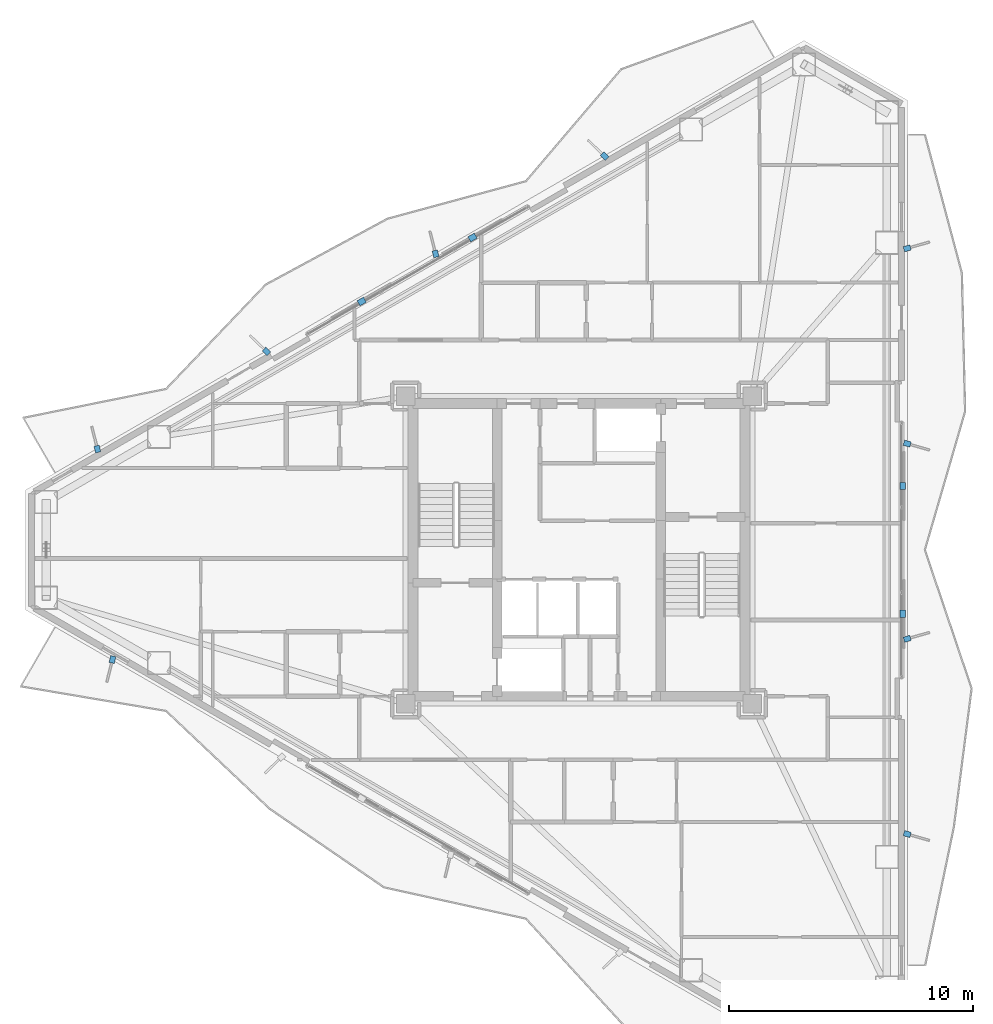
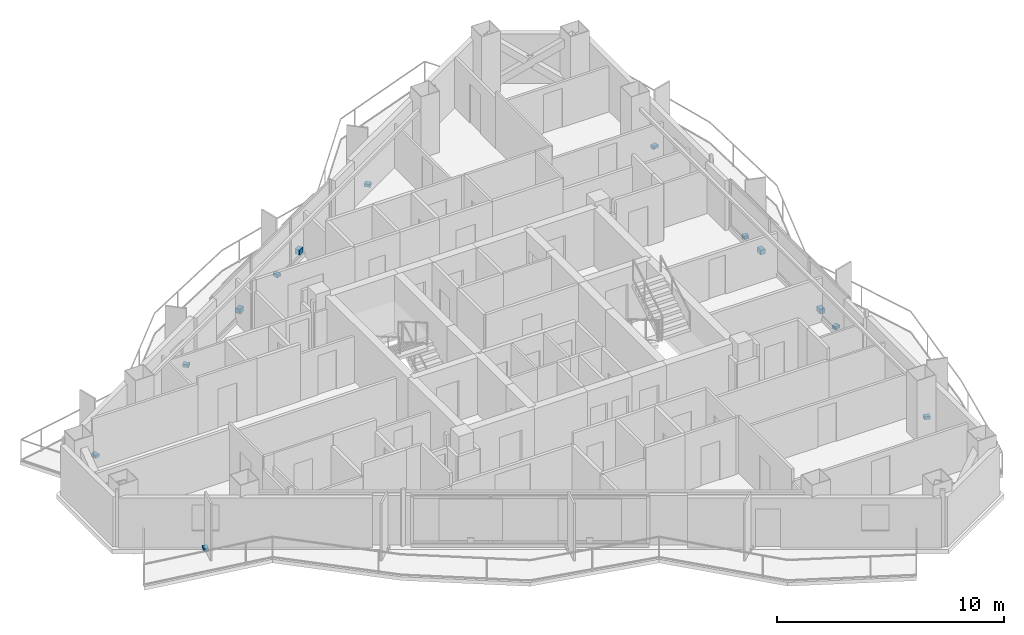
# One storey, part 17 of 19: 13 discrete accessories.
"""IFC4 building model written with IfcOpenShell, lengths in metres."""

import ifcopenshell
import ifcopenshell.guid

model = None  # the IFC model being written
_history = None  # IfcOwnerHistory: only IFC2X3 demands one
_inside = {}  # id of a spatial element -> (the spatial element, [elements in it])
_under = {}  # id of a project, library or spatial element -> (it, [spatial elements below it])
_declared = {}  # id of a project -> (the project, [libraries it declares])
_typed = {}  # id of a type object -> (the type object, [elements of that type])
_made_of = {}  # id of a material, layer set ... -> (it, [elements and type objects made of it])


def new_model(schema):
    """Start an empty IFC model of exactly this schema.

    Asked for "IFC4X3", IfcOpenShell would pick the latest addendum, in which some entities
    have other attributes; the version numbers below select the first issue.
    IFC2X3 requires an IfcOwnerHistory on every rooted entity: one is made here for all.
    """
    global model, _history
    if schema == "IFC4X3":
        model = ifcopenshell.file(schema_version=(4, 3, 0, 0))
    else:
        model = ifcopenshell.file(schema=schema)
    _inside.clear()
    _under.clear()
    _declared.clear()
    _typed.clear()
    _made_of.clear()
    _history = None
    if model.schema == "IFC2X3":
        org = make("IfcOrganization", Name="unknown")
        user = make(
            "IfcPersonAndOrganization",
            ThePerson=make("IfcPerson", FamilyName="unknown"),
            TheOrganization=org,
        )
        app = make(
            "IfcApplication",
            ApplicationDeveloper=org,
            Version="unknown",
            ApplicationFullName="unknown",
            ApplicationIdentifier="unknown",
        )
        _history = make(
            "IfcOwnerHistory",
            OwningUser=user,
            OwningApplication=app,
            ChangeAction="ADDED",
            CreationDate=0,
        )
    return model


def make(cls, **values):
    """One entity of the class cls with the attributes given. An attribute that is None is left unset."""
    return model.create_entity(
        cls, **{name: value for name, value in values.items() if value is not None}
    )


def rooted(cls, **values):
    """An entity with a GlobalId (a new one), such as an element, a storey or a relation."""
    return make(cls, GlobalId=ifcopenshell.guid.new(), OwnerHistory=_history, **values)


def si_unit(unit_type, name, prefix=None):
    """IfcSIUnit, for example si_unit("LENGTHUNIT", "METRE", prefix="MILLI")."""
    return make("IfcSIUnit", UnitType=unit_type, Prefix=prefix, Name=name)


def assignment(units):
    """IfcUnitAssignment: the units of a project."""
    return None if units is None else make("IfcUnitAssignment", Units=units)


def point(xyz):
    """IfcCartesianPoint."""
    return None if xyz is None else make("IfcCartesianPoint", Coordinates=xyz)


def direction(xyz):
    """IfcDirection."""
    return None if xyz is None else make("IfcDirection", DirectionRatios=xyz)


def frame(location, z_axis=None, x_axis=None):
    """IfcAxis2Placement3D, a coordinate frame: its origin and axes. An axis left out is left unset."""
    return make(
        "IfcAxis2Placement3D",
        Location=point(location),
        Axis=direction(z_axis),
        RefDirection=direction(x_axis),
    )


def frame_2d(location, x_axis=None):
    """IfcAxis2Placement2D, a coordinate frame in the plane: its origin and x axis."""
    return make(
        "IfcAxis2Placement2D", Location=point(location), RefDirection=direction(x_axis)
    )


def origin():
    """The frame at (0, 0, 0) with its axes left unset."""
    return frame((0.0, 0.0, 0.0))


def origin_2d():
    """The frame at (0, 0) in the plane with its x axis left unset."""
    return frame_2d((0.0, 0.0))


def place(relative_to, where):
    """IfcLocalPlacement: puts the frame where relative to a parent placement (None: the world)."""
    return make(
        "IfcLocalPlacement", PlacementRelTo=relative_to, RelativePlacement=where
    )


def context(
    kind, dimensions, precision=None, world=None, true_north=None, identifier=None
):
    """IfcGeometricRepresentationContext, for example the 3D "Model" context."""
    return make(
        "IfcGeometricRepresentationContext",
        ContextIdentifier=identifier,
        ContextType=kind,
        CoordinateSpaceDimension=dimensions,
        Precision=precision,
        WorldCoordinateSystem=world,
        TrueNorth=true_north,
    )


def subcontext(parent, identifier, kind, view, scale=None):
    """IfcGeometricRepresentationSubContext, for example "Body" below "Model"."""
    return make(
        "IfcGeometricRepresentationSubContext",
        ContextIdentifier=identifier,
        ContextType=kind,
        ParentContext=parent,
        TargetScale=scale,
        TargetView=view,
    )


def project(units=None, contexts=None):
    """IfcProject with its units and contexts."""
    return rooted(
        "IfcProject",
        Name="project",
        RepresentationContexts=contexts,
        UnitsInContext=assignment(units),
    )


def spatial(cls, under=None, at=None, **own):
    """A site, building, storey or space (cls), placed at a placement, below another one or the project."""
    s = rooted(cls, ObjectPlacement=at, **own)
    if under is not None:
        _under.setdefault(under.id(), (under, []))[1].append(s)
    return s


def profile(cls, at=None, kind="AREA", **sizes):
    """A parametric profile (cls). Its sizes go by their IFC names, for example OverallWidth=200.0."""
    return make(cls, ProfileType=kind, Position=at, **sizes)


def rectangle(**sizes):
    """IfcRectangleProfileDef."""
    return profile("IfcRectangleProfileDef", **sizes)


def extrude(swept, where, along, depth):
    """IfcExtrudedAreaSolid: the profile swept, set in the frame where, extruded along a direction by depth."""
    return make(
        "IfcExtrudedAreaSolid",
        SweptArea=swept,
        Position=where,
        ExtrudedDirection=direction(along),
        Depth=depth,
    )


def shape(context_of_items, identifier, shape_type, items):
    """IfcShapeRepresentation: the items that make up one representation, for example the "Body"."""
    return make(
        "IfcShapeRepresentation",
        ContextOfItems=context_of_items,
        RepresentationIdentifier=identifier,
        RepresentationType=shape_type,
        Items=items,
    )


def material(Name=None, Category=None):
    """IfcMaterial."""
    return make("IfcMaterial", Name=Name, Category=Category)


def layer(
    of_material, thickness, ventilated=None, Name=None, Category=None, Priority=None
):
    """IfcMaterialLayer: one layer of a wall or slab, of a material (None: an air gap)."""
    return make(
        "IfcMaterialLayer",
        Material=of_material,
        LayerThickness=thickness,
        IsVentilated=ventilated,
        Name=Name,
        Category=Category,
        Priority=Priority,
    )


def layer_set(layers, Name=None):
    """IfcMaterialLayerSet."""
    return make("IfcMaterialLayerSet", MaterialLayers=layers, LayerSetName=Name)


def made_of(thing, what):
    """Note that an element or type object is made of a material, layer set ...; save() writes the relation."""
    if what is not None:
        _made_of.setdefault(what.id(), (what, []))[1].append(thing)
    return thing


def type_object(cls, material=None, **own):
    """A type object (cls), such as IfcWallType, which elements share."""
    return made_of(rooted(cls, **own), material)


def element(
    cls,
    number,
    at=None,
    inside=None,
    cuts=None,
    type_object=None,
    material=None,
    context=None,
    identifier="Body",
    shape_type=None,
    held_by="IfcProductDefinitionShape",
    body=None,
    shapes=None,
    **own,
):
    """One element of the class cls, such as IfcWall. Its Tag is "e" and its number.

    at: its placement. inside: the storey or other place that contains it. cuts: it is an
    opening in that element (IfcRelVoidsElement). A single representation is given by context,
    identifier, shape_type and body (its items); several are given by shapes. held_by: the class
    of the entity that holds the representations. save() writes the other relations.
    """
    e = rooted(cls, Tag="e%d" % number, ObjectPlacement=at, **own)
    if body is not None:
        shapes = [shape(context, identifier, shape_type, body)]
    if shapes is not None:
        e.Representation = make(held_by, Representations=shapes)
    if inside is not None:
        _inside.setdefault(inside.id(), (inside, []))[1].append(e)
    if cuts is not None:
        rooted(
            "IfcRelVoidsElement", RelatingBuildingElement=cuts, RelatedOpeningElement=e
        )
    if type_object is not None:
        _typed.setdefault(type_object.id(), (type_object, []))[1].append(e)
    return made_of(e, material)


def aggregate(whole, parts):
    """IfcRelAggregates: a whole, such as a stair, and the parts it consists of."""
    return rooted("IfcRelAggregates", RelatingObject=whole, RelatedObjects=parts)


def save(model, path):
    """Write the relations noted so far, then the file.

    IfcRelAggregates (storeys below a building ...), IfcRelContainedInSpatialStructure (elements
    in a storey), IfcRelDefinesByType, IfcRelAssociatesMaterial and IfcRelDeclares: one each for
    every whole, place, type object, material and project.
    """
    for whole, parts in _under.values():
        aggregate(whole, parts)
    for where, things in _inside.values():
        rooted(
            "IfcRelContainedInSpatialStructure",
            RelatedElements=things,
            RelatingStructure=where,
        )
    for kind, things in _typed.values():
        rooted("IfcRelDefinesByType", RelatedObjects=things, RelatingType=kind)
    for what, things in _made_of.values():
        rooted("IfcRelAssociatesMaterial", RelatedObjects=things, RelatingMaterial=what)
    for by, libraries in _declared.values():
        rooted("IfcRelDeclares", RelatingContext=by, RelatedDefinitions=libraries)
    model.write(path)


model = new_model("IFC4")

# Units and contexts
model_context = context("Model", 3, precision=1e-05, world=origin(), true_north=direction((0.0, 1.0)))
body_context = subcontext(model_context, "Body", "Model", "MODEL_VIEW")
ifc_project = project(units=[si_unit("LENGTHUNIT", "METRE"), si_unit("AREAUNIT", "SQUARE_METRE"), si_unit("VOLUMEUNIT", "CUBIC_METRE"), si_unit("PLANEANGLEUNIT", "RADIAN"), si_unit("MASSUNIT", "GRAM", prefix="KILO")], contexts=[model_context])

# Site, building, storey
site_placement = place(None, origin())
site = spatial("IfcSite", under=ifc_project, at=site_placement, CompositionType="ELEMENT")
building_placement = place(site_placement, origin())
building = spatial("IfcBuilding", under=site, at=building_placement, Name="Mersakhor Tower and Convention Hall", CompositionType="ELEMENT")
storey_placement = place(building_placement, frame((0.0, 0.0, 127.800048828125)))
storey = spatial("IfcBuildingStorey", under=building, at=storey_placement, Name="L35", CompositionType="ELEMENT", Elevation=127.800048828125)

# Discrete accessories
ifc_material = material(Name="Galvanised steel bracket", Category="steel")
ifc_layer = layer(ifc_material, 0.02001953125)
ifc_layer_set = layer_set([ifc_layer], Name="Galvanised steel bracket")
discrete_accessory_type = type_object("IfcDiscreteAccessoryType", Name="ACC-BRK-STL", PredefinedType="BRACKET", material=ifc_layer_set)
for number, where, z_axis, x_axis, name in (
    (1, (20.09521484375, 36.9306640625, 0.2900390625), (0.0, 0.0, 1.0), (0.866025403784, 0.5, 0.0), "L35 Solar Screen Outrigger Bracket BRK-1-1"),
    (2, (24.6357421875, 39.55224609375, 0.2900390625), (0.0, 0.0, 1.0), (0.866025403784, 0.5, 0.0), "L35 Solar Screen Outrigger Bracket BRK-1-2"),
):
    element("IfcDiscreteAccessory", number, at=place(storey_placement, frame(where, z_axis=z_axis, x_axis=x_axis)), inside=storey, type_object=discrete_accessory_type, Name=name, PredefinedType="BRACKET", context=body_context, shape_type="SweptSolid", body=[
        extrude(rectangle(XDim=0.300048828125, YDim=0.239990234375, at=origin_2d()), origin(), (0.0, 0.0, 1.0), 0.260009765625),
    ])
for number, where, z_axis, x_axis, name in (
    (3, (9.264892578125, 30.8857421875, -0.02001953125), (0.0, 0.0, 1.0), (-0.2419218956, 0.970295726276, 0.0), "L35 Facade Fin Base Cleat Bracket FBRK-1-1"),
    (4, (16.193115234375, 34.8857421875, -0.02001953125), (0.0, 0.0, 1.0), (-0.719339800339, 0.694658370459, 0.0), "L35 Facade Fin Base Cleat Bracket FBRK-1-2"),
    (5, (23.12109375, 38.8857421875, -0.02001953125), (0.0, 0.0, 1.0), (-0.2419218956, 0.970295726276, 0.0), "L35 Facade Fin Base Cleat Bracket FBRK-1-3"),
    (6, (30.04931640625, 42.885498046875, -0.02001953125), (0.0, 0.0, 1.0), (-0.719339800339, 0.694658370459, 0.0), "L35 Facade Fin Base Cleat Bracket FBRK-1-4"),
):
    element("IfcDiscreteAccessory", number, at=place(storey_placement, frame(where, z_axis=z_axis, x_axis=x_axis)), inside=storey, type_object=discrete_accessory_type, Name=name, PredefinedType="BRACKET", context=body_context, shape_type="SweptSolid", body=[
        extrude(rectangle(XDim=0.280029296875, YDim=0.219970703125, at=origin_2d()), origin(), (0.0, 0.0, 1.0), 0.159912109375),
    ])
for number, where, z_axis, x_axis, name in (
    (7, (42.269287109375, 29.37158203125, 0.2900390625), (0.0, 0.0, 1.0), (0.0, -1.0, 0.0), "L35 Solar Screen Outrigger Bracket BRK-2-1"),
    (8, (42.269287109375, 24.12841796875, 0.2900390625), (0.0, 0.0, 1.0), (0.0, -1.0, 0.0), "L35 Solar Screen Outrigger Bracket BRK-2-2"),
):
    element("IfcDiscreteAccessory", number, at=place(storey_placement, frame(where, z_axis=z_axis, x_axis=x_axis)), inside=storey, type_object=discrete_accessory_type, Name=name, PredefinedType="BRACKET", context=body_context, shape_type="SweptSolid", body=[
        extrude(rectangle(XDim=0.300048828125, YDim=0.239990234375, at=origin_2d()), origin(), (0.0, 0.0, 1.0), 0.260009765625),
    ])
for number, where, z_axis, x_axis, name in (
    (9, (42.44921875, 39.106689453125, -0.02001953125), (0.0, 0.0, 1.0), (0.961261695938, 0.275637355817, 0.0), "L35 Facade Fin Base Cleat Bracket FBRK-2-1"),
    (10, (42.44921875, 31.106689453125, -0.02001953125), (0.0, 0.0, 1.0), (0.961261695938, -0.275637355817, 0.0), "L35 Facade Fin Base Cleat Bracket FBRK-2-2"),
    (11, (42.44921875, 23.106689453125, -0.02001953125), (0.0, 0.0, 1.0), (0.961261695938, 0.275637355817, 0.0), "L35 Facade Fin Base Cleat Bracket FBRK-2-3"),
    (12, (42.44921875, 15.106689453125, -0.02001953125), (0.0, 0.0, 1.0), (0.961261695938, -0.275637355817, 0.0), "L35 Facade Fin Base Cleat Bracket FBRK-2-4"),
    (13, (9.882568359375, 22.257568359375, -0.02001953125), (0.0, 0.0, 1.0), (-0.2419218956, -0.970295726276, 0.0), "L35 Facade Fin Base Cleat Bracket FBRK-3-4"),
):
    element("IfcDiscreteAccessory", number, at=place(storey_placement, frame(where, z_axis=z_axis, x_axis=x_axis)), inside=storey, type_object=discrete_accessory_type, Name=name, PredefinedType="BRACKET", context=body_context, shape_type="SweptSolid", body=[
        extrude(rectangle(XDim=0.280029296875, YDim=0.219970703125, at=origin_2d()), origin(), (0.0, 0.0, 1.0), 0.159912109375),
    ])

save(model, "model.ifc")
